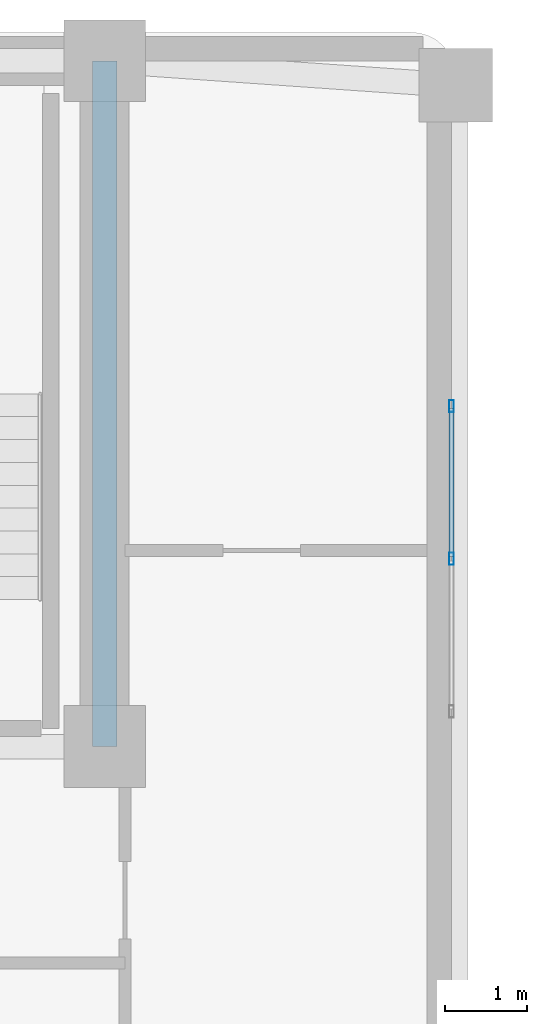
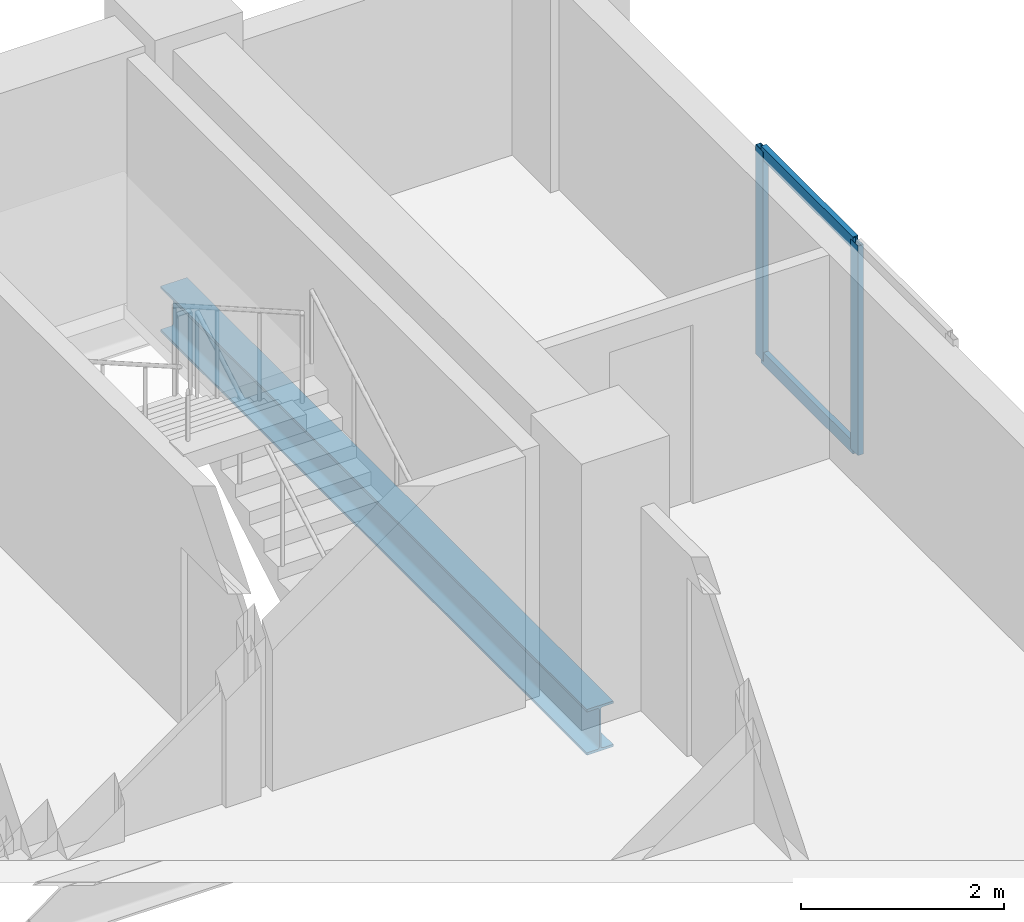
# One storey, part 4 of 10: 4 members, 1 beam, 1 element without a shape of its own.
"""IFC4 building model written with IfcOpenShell, lengths in metres."""

from ifc_helpers import new_model, si_unit, direction, frame, origin, origin_2d, place, context, subcontext, project, spatial, hollow_rectangle, i_section, extrude, material, material_profile, profile_set, type_object, element, aggregate, save


model = new_model("IFC4")

# Units and contexts
model_context = context("Model", 3, precision=1e-05, world=origin(), true_north=direction((0.0, 1.0)))
body_context = subcontext(model_context, "Body", "Model", "MODEL_VIEW")
ifc_project = project(units=[si_unit("LENGTHUNIT", "METRE"), si_unit("AREAUNIT", "SQUARE_METRE"), si_unit("VOLUMEUNIT", "CUBIC_METRE"), si_unit("PLANEANGLEUNIT", "RADIAN"), si_unit("MASSUNIT", "GRAM", prefix="KILO")], contexts=[model_context])

# Site, building, storey
site_placement = place(None, origin())
site = spatial("IfcSite", under=ifc_project, at=site_placement, CompositionType="ELEMENT")
building_placement = place(site_placement, origin())
building = spatial("IfcBuilding", under=site, at=building_placement, Name="Kuzgunbayir Cultural Tower", CompositionType="ELEMENT")
storey_placement = place(building_placement, frame((0.0, 0.0, 163.199951171875)))
storey = spatial("IfcBuildingStorey", under=building, at=storey_placement, Name="L47", CompositionType="ELEMENT", Elevation=163.199951171875)

# Beam
ifc_material_1 = material(Name="Steel S355J2", Category="steel")
ifc_material_profile_1 = material_profile(ifc_material_1, i_section(OverallWidth=0.300048828125, OverallDepth=0.550048828125, WebThickness=0.014892578125, FlangeThickness=0.029052734375, FilletRadius=0.027099609375, at=origin_2d()), Name="HEB 550")
ifc_profile_set_1 = profile_set([ifc_material_profile_1], Name="Steel S355J2")
beam_type = type_object("IfcBeamType", Name="BM-GIR-HEB550", PredefinedType="BEAM", material=ifc_profile_set_1)
beam_placement = place(storey_placement, frame((26.89990234375, 33.800048828125, -0.449951171875), z_axis=(0.0, 1.0, 0.0), x_axis=(-1.0, 0.0, 0.0)))
element("IfcBeam", 1, at=beam_placement, inside=storey, type_object=beam_type, Name="L47 Core East Edge Girder", PredefinedType="BEAM", context=body_context, shape_type="SweptSolid", body=[
    extrude(i_section(OverallWidth=0.300048828125, OverallDepth=0.550048828125, WebThickness=0.014892578125, FlangeThickness=0.029052734375, FilletRadius=0.027099609375, at=origin_2d()), origin(), (0.0, 0.0, 1.0), 8.39990234375),
])

# Curtain wall, members
ifc_material_2 = material(Name="Anodised Aluminium Framing", Category="aluminium")
curtain_wall_type = type_object("IfcCurtainWallType", Name="CW02-PORTAL-SOFFIT", PredefinedType="NOTDEFINED", material=ifc_material_2)
curtain_wall_placement = place(storey_placement, origin())
curtain_wall = element("IfcCurtainWall", 2, at=curtain_wall_placement, inside=storey, type_object=curtain_wall_type, Name="L47 Wind-Portal Aperture Curtain Wall", PredefinedType="NOTDEFINED")
ifc_material_profile_2 = material_profile(ifc_material_2, hollow_rectangle(XDim=0.06005859375, YDim=0.14990234375, WallThickness=0.00390625, at=origin_2d()), Name="RHS 150x60x4")
ifc_profile_set_2 = profile_set([ifc_material_profile_2], Name="Anodised Aluminium Framing")
member_type_1 = type_object("IfcMemberType", Name="MEM-CW-MULLION-150", PredefinedType="MULLION", material=ifc_profile_set_2)
member_1_placement = place(storey_placement, frame((31.14990234375, 36.10009765625, 0.0), z_axis=(0.0, 0.0, 1.0), x_axis=(-1.0, 0.0, 0.0)))
member_1 = element("IfcMember", 3, at=member_1_placement, type_object=member_type_1, Name="CW02 mullion 2", PredefinedType="MULLION", context=body_context, shape_type="SweptSolid", body=[
    extrude(hollow_rectangle(XDim=0.06005859375, YDim=0.14990234375, WallThickness=0.00390625, at=origin_2d()), origin(), (0.0, 0.0, 1.0), 2.52001953125),
])
member_2_placement = place(storey_placement, frame((31.14990234375, 37.969970703125, 0.0), z_axis=(0.0, 0.0, 1.0), x_axis=(-1.0, 0.0, 0.0)))
member_2 = element("IfcMember", 4, at=member_2_placement, type_object=member_type_1, Name="CW02 mullion 3", PredefinedType="MULLION", context=body_context, shape_type="SweptSolid", body=[
    extrude(hollow_rectangle(XDim=0.06005859375, YDim=0.14990234375, WallThickness=0.00390625, at=origin_2d()), origin(), (0.0, 0.0, 1.0), 2.52001953125),
])
ifc_material_profile_3 = material_profile(ifc_material_2, hollow_rectangle(XDim=0.06005859375, YDim=0.14990234375, WallThickness=0.00390625, at=origin_2d()), Name="RHS 150x60x4")
ifc_profile_set_3 = profile_set([ifc_material_profile_3], Name="Anodised Aluminium Framing")
member_type_2 = type_object("IfcMemberType", Name="MEM-CW-TRANSOM-150", PredefinedType="USERDEFINED", material=ifc_profile_set_3)
member_3_placement = place(storey_placement, frame((31.14990234375, 36.1298828125, 0.030029296875), z_axis=(0.0, 1.0, 0.0), x_axis=(-1.0, 0.0, 0.0)))
member_3 = element("IfcMember", 5, at=member_3_placement, type_object=member_type_2, Name="CW02 transom 2.1", ObjectType="TRANSOM", PredefinedType="USERDEFINED", context=body_context, shape_type="SweptSolid", body=[
    extrude(hollow_rectangle(XDim=0.06005859375, YDim=0.14990234375, WallThickness=0.00390625, at=origin_2d()), origin(), (0.0, 0.0, 1.0), 1.81005859375),
])
member_4_placement = place(storey_placement, frame((31.14990234375, 36.1298828125, 2.489990234375), z_axis=(0.0, 1.0, 0.0), x_axis=(-1.0, 0.0, 0.0)))
member_4 = element("IfcMember", 6, at=member_4_placement, type_object=member_type_2, Name="CW02 transom 2.2", ObjectType="TRANSOM", PredefinedType="USERDEFINED", context=body_context, shape_type="SweptSolid", body=[
    extrude(hollow_rectangle(XDim=0.06005859375, YDim=0.14990234375, WallThickness=0.00390625, at=origin_2d()), origin(), (0.0, 0.0, 1.0), 1.81005859375),
])
aggregate(curtain_wall, [member_1, member_2, member_3, member_4])

save(model, "model.ifc")
